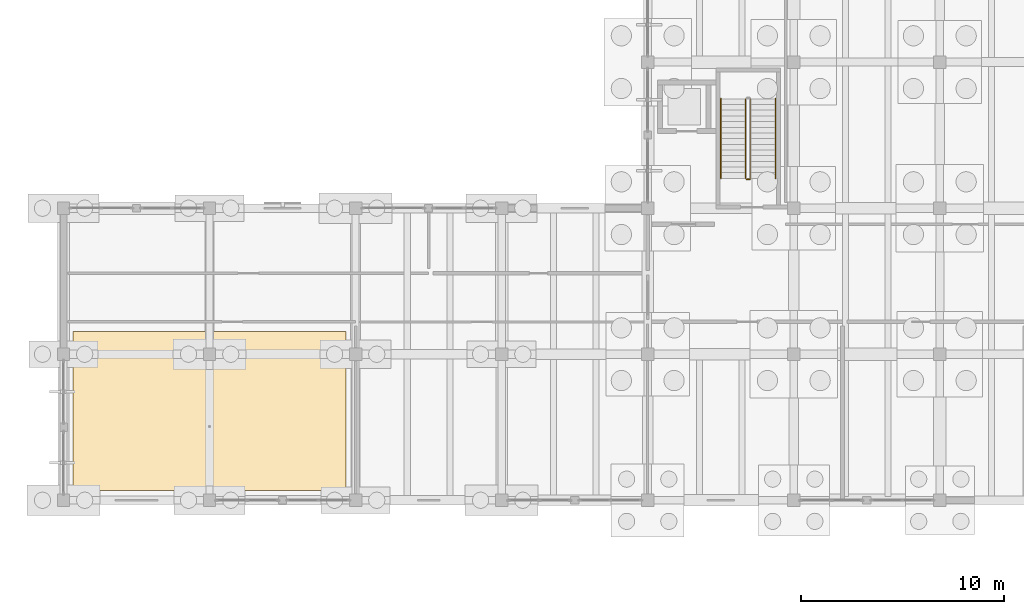
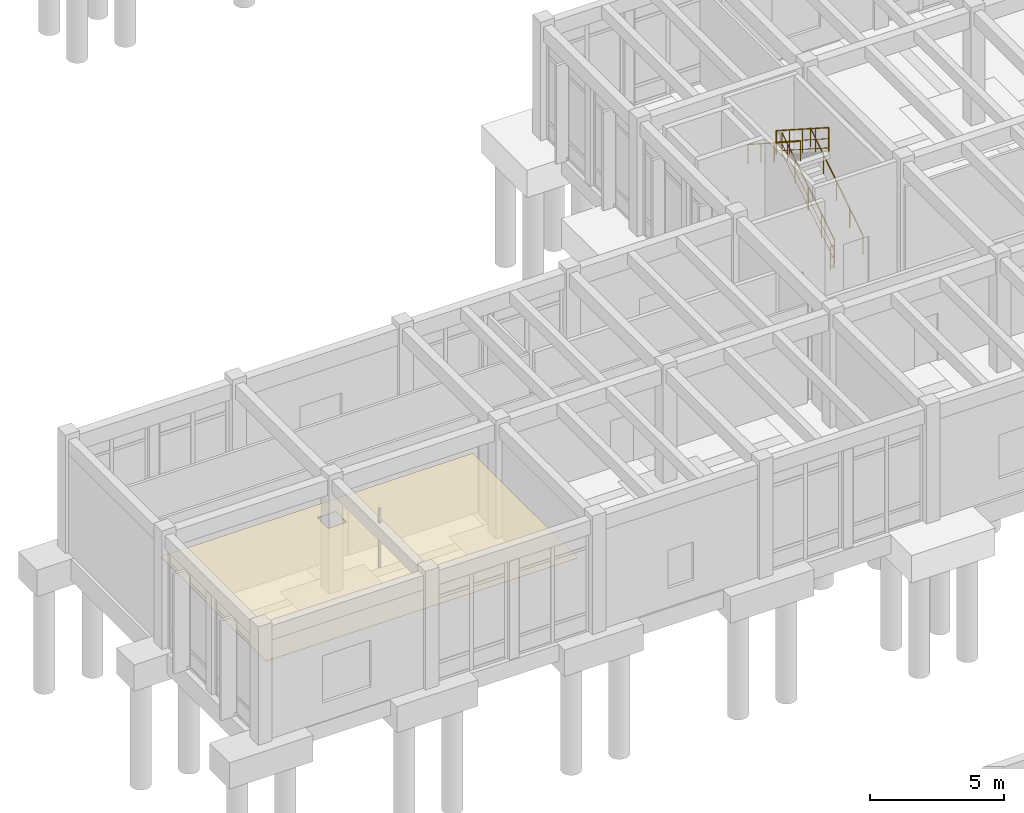
# One storey, part 84 of 93: 5 railings, 1 covering.
"""IFC4 building model written with IfcOpenShell, lengths in metres."""

from ifc_helpers import new_model, si_unit, direction, frame, origin, origin_2d, place, context, subcontext, project, spatial, polyline, circle, outline, extrude, material, layer, layer_set, type_object, element, save


model = new_model("IFC4")

# Units and contexts
model_context = context("Model", 3, precision=1e-05, world=origin(), true_north=direction((0.0, 1.0)))
body_context = subcontext(model_context, "Body", "Model", "MODEL_VIEW")
ifc_project = project(units=[si_unit("LENGTHUNIT", "METRE"), si_unit("AREAUNIT", "SQUARE_METRE"), si_unit("VOLUMEUNIT", "CUBIC_METRE"), si_unit("PLANEANGLEUNIT", "RADIAN"), si_unit("MASSUNIT", "GRAM", prefix="KILO")], contexts=[model_context])

# Site, building, storey
site_placement = place(None, origin())
site = spatial("IfcSite", under=ifc_project, at=site_placement, CompositionType="ELEMENT")
building_placement = place(site_placement, origin())
building = spatial("IfcBuilding", under=site, at=building_placement, Name="Koriwan Promenade Central Fire Station", CompositionType="ELEMENT")
storey_placement = place(building_placement, origin())
storey = spatial("IfcBuildingStorey", under=building, at=storey_placement, Name="L00", CompositionType="ELEMENT", Elevation=0.0)

# Covering
ifc_material_1 = material(Name="Mineral-fibre acoustic ceiling tile on suspended grid", Category="ceiling")
ifc_layer_1 = layer(ifc_material_1, 0.02490234375, Name="Mineral-fibre acoustic ceiling tile on suspended grid")
ifc_layer_set_1 = layer_set([ifc_layer_1], Name="Mineral-fibre acoustic ceiling tile on suspended grid")
covering_type = type_object("IfcCoveringType", Name="AcousticCeiling_Tile", PredefinedType="CEILING", material=ifc_layer_set_1)
covering_placement = place(storey_placement, frame((0.0, 0.0, 3.080078125)))
element("IfcCovering", 1, at=covering_placement, inside=storey, type_object=covering_type, Name="Station Watch Room and Turnout Desk suspended acoustic ceiling", PredefinedType="CEILING", context=body_context, shape_type="SweptSolid", body=[
    extrude(outline(polyline([(13.929931640625, 43.669921875), (0.469970703125, 43.669921875), (0.469970703125, 51.530029296875), (13.929931640625, 51.530029296875), (13.929931640625, 43.669921875)]), holes=[polyline([(7.60009765625, 50.0), (7.60009765625, 50.800048828125), (6.800048828125, 50.800048828125), (6.800048828125, 50.0), (7.60009765625, 50.0)])]), origin(), (0.0, 0.0, 1.0), 0.02490234375),
])

# Railings
ifc_material_2 = material(Name="Steel ASTM A500 Grade C", Category="steel")
ifc_layer_2 = layer(ifc_material_2, 0.050048828125, Name="Steel ASTM A500 Grade C")
ifc_layer_set_2 = layer_set([ifc_layer_2], Name="Steel ASTM A500 Grade C")
railing_type_1 = type_object("IfcRailingType", Name="StairGuard_1100", PredefinedType="BALUSTRADE", material=ifc_layer_set_2)
railing_1_placement = place(storey_placement, frame((33.8798828125, 59.070068359375, 0.179931640625)))
element("IfcRailing", 2, at=railing_1_placement, inside=storey, type_object=railing_type_1, Name="L00 ST18 stair guard 1", PredefinedType="BALUSTRADE", context=body_context, shape_type="SweptSolid", body=[
    extrude(circle(Radius=0.02392578125, at=origin_2d()), frame((0.0, 0.0, 1.076171875), z_axis=(0.0, 0.841171666519, 0.540768182723), x_axis=(-1.0, 0.0, 0.0)), (0.0, 0.0, 1.0), 4.66015625),
    extrude(circle(Radius=0.012939453125, at=origin_2d()), frame((0.0, 0.0, 0.572021484375), z_axis=(0.0, 0.841171666519, 0.540768182723), x_axis=(-1.0, 0.0, 0.0)), (0.0, 0.0, 1.0), 4.66015625),
    extrude(circle(Radius=0.012939453125, at=origin_2d()), frame((0.0, 0.0, 0.154052734375), z_axis=(0.0, 0.841171666519, 0.540768182723), x_axis=(-1.0, 0.0, 0.0)), (0.0, 0.0, 1.0), 4.66015625),
    extrude(circle(Radius=0.02099609375, at=origin_2d()), origin(), (0.0, 0.0, 1.0), 1.052001953125),
    extrude(circle(Radius=0.02099609375, at=origin_2d()), frame((0.0, 0.97998046875, 0.6298828125)), (0.0, 0.0, 1.0), 1.052001953125),
    extrude(circle(Radius=0.02099609375, at=origin_2d()), frame((0.0, 1.9599609375, 1.260009765625)), (0.0, 0.0, 1.0), 1.052001953125),
    extrude(circle(Radius=0.02099609375, at=origin_2d()), frame((0.0, 2.93994140625, 1.89013671875)), (0.0, 0.0, 1.0), 1.052001953125),
    extrude(circle(Radius=0.02099609375, at=origin_2d()), frame((0.0, 3.919921875, 2.52001953125)), (0.0, 0.0, 1.0), 1.052001953125),
])
railing_2_placement = place(storey_placement, frame((33.6298828125, 62.989990234375, 2.8798828125)))
element("IfcRailing", 3, at=railing_2_placement, inside=storey, type_object=railing_type_1, Name="L00 ST18 stair guard 3", PredefinedType="BALUSTRADE", context=body_context, shape_type="SweptSolid", body=[
    extrude(circle(Radius=0.02392578125, at=origin_2d()), frame((0.0, 0.0, 1.076171875), z_axis=(0.0, -0.841171666519, 0.540768182723), x_axis=(1.0, 0.0, 0.0)), (0.0, 0.0, 1.0), 4.66015625),
    extrude(circle(Radius=0.012939453125, at=origin_2d()), frame((0.0, 0.0, 0.572021484375), z_axis=(0.0, -0.841171666519, 0.540768182723), x_axis=(1.0, 0.0, 0.0)), (0.0, 0.0, 1.0), 4.66015625),
    extrude(circle(Radius=0.012939453125, at=origin_2d()), frame((0.0, 0.0, 0.154052734375), z_axis=(0.0, -0.841171666519, 0.540768182723), x_axis=(1.0, 0.0, 0.0)), (0.0, 0.0, 1.0), 4.66015625),
    extrude(circle(Radius=0.02099609375, at=origin_2d()), origin(), (0.0, 0.0, 1.0), 1.052001953125),
    extrude(circle(Radius=0.02099609375, at=origin_2d()), frame((0.0, -0.97998046875, 0.6298828125)), (0.0, 0.0, 1.0), 1.052001953125),
    extrude(circle(Radius=0.02099609375, at=origin_2d()), frame((0.0, -1.9599609375, 1.260009765625)), (0.0, 0.0, 1.0), 1.052001953125),
    extrude(circle(Radius=0.02099609375, at=origin_2d()), frame((0.0, -2.93994140625, 1.89013671875)), (0.0, 0.0, 1.0), 1.052001953125),
    extrude(circle(Radius=0.02099609375, at=origin_2d()), frame((0.0, -3.919921875, 2.52001953125)), (0.0, 0.0, 1.0), 1.052001953125),
])
railing_3_placement = place(storey_placement, frame((33.830078125, 59.02001953125, 0.0)))
element("IfcRailing", 4, at=railing_3_placement, inside=storey, type_object=railing_type_1, Name="L00 ST18 stair guard 4", PredefinedType="BALUSTRADE", context=body_context, shape_type="SweptSolid", body=[
    extrude(circle(Radius=0.02392578125, at=origin_2d()), frame((0.0, 0.0, 1.076171875), z_axis=(-1.0, 0.0, 0.0), x_axis=(0.0, -1.0, 0.0)), (0.0, 0.0, 1.0), 0.150146484375),
    extrude(circle(Radius=0.012939453125, at=origin_2d()), frame((0.0, 0.0, 0.572021484375), z_axis=(-1.0, 0.0, 0.0), x_axis=(0.0, -1.0, 0.0)), (0.0, 0.0, 1.0), 0.150146484375),
    extrude(circle(Radius=0.012939453125, at=origin_2d()), frame((0.0, 0.0, 0.154052734375), z_axis=(-1.0, 0.0, 0.0), x_axis=(0.0, -1.0, 0.0)), (0.0, 0.0, 1.0), 0.150146484375),
    extrude(circle(Radius=0.02099609375, at=origin_2d()), origin(), (0.0, 0.0, 1.0), 1.052001953125),
    extrude(circle(Radius=0.02099609375, at=origin_2d()), frame((-0.150146484375, 0.0, 0.0)), (0.0, 0.0, 1.0), 1.052001953125),
])
ifc_material_3 = material(Name="Stainless steel 316 tubular handrail", Category="steel")
ifc_layer_3 = layer(ifc_material_3, 0.048095703125, Name="Stainless steel 316 tubular handrail")
ifc_layer_set_3 = layer_set([ifc_layer_3], Name="Stainless steel 316 tubular handrail")
railing_type_2 = type_object("IfcRailingType", Name="StairHandrail_900", PredefinedType="HANDRAIL", material=ifc_layer_set_3)
railing_4_placement = place(storey_placement, frame((35.10009765625, 59.070068359375, 0.179931640625)))
element("IfcRailing", 5, at=railing_4_placement, inside=storey, type_object=railing_type_2, Name="L00 ST18 stair handrail 1", PredefinedType="HANDRAIL", context=body_context, shape_type="SweptSolid", body=[
    extrude(circle(Radius=0.02392578125, at=origin_2d()), frame((0.0, 0.0, 0.8759765625), z_axis=(0.0, 0.841171666519, 0.540768182723), x_axis=(-1.0, 0.0, 0.0)), (0.0, 0.0, 1.0), 4.66015625),
    extrude(circle(Radius=0.02099609375, at=origin_2d()), origin(), (0.0, 0.0, 1.0), 0.851806640625),
    extrude(circle(Radius=0.02099609375, at=origin_2d()), frame((0.0, 0.97998046875, 0.6298828125)), (0.0, 0.0, 1.0), 0.851806640625),
    extrude(circle(Radius=0.02099609375, at=origin_2d()), frame((0.0, 1.9599609375, 1.260009765625)), (0.0, 0.0, 1.0), 0.851806640625),
    extrude(circle(Radius=0.02099609375, at=origin_2d()), frame((0.0, 2.93994140625, 1.89013671875)), (0.0, 0.0, 1.0), 0.851806640625),
    extrude(circle(Radius=0.02099609375, at=origin_2d()), frame((0.0, 3.919921875, 2.52001953125)), (0.0, 0.0, 1.0), 0.851806640625),
])
railing_5_placement = place(storey_placement, frame((32.409912109375, 62.989990234375, 2.8798828125)))
element("IfcRailing", 6, at=railing_5_placement, inside=storey, type_object=railing_type_2, Name="L00 ST18 stair handrail 2", PredefinedType="HANDRAIL", context=body_context, shape_type="SweptSolid", body=[
    extrude(circle(Radius=0.02392578125, at=origin_2d()), frame((0.0, 0.0, 0.8759765625), z_axis=(0.0, -0.841171666519, 0.540768182723), x_axis=(1.0, 0.0, 0.0)), (0.0, 0.0, 1.0), 4.66015625),
    extrude(circle(Radius=0.02099609375, at=origin_2d()), origin(), (0.0, 0.0, 1.0), 0.851806640625),
    extrude(circle(Radius=0.02099609375, at=origin_2d()), frame((0.0, -0.97998046875, 0.6298828125)), (0.0, 0.0, 1.0), 0.851806640625),
    extrude(circle(Radius=0.02099609375, at=origin_2d()), frame((0.0, -1.9599609375, 1.260009765625)), (0.0, 0.0, 1.0), 0.851806640625),
    extrude(circle(Radius=0.02099609375, at=origin_2d()), frame((0.0, -2.93994140625, 1.89013671875)), (0.0, 0.0, 1.0), 0.851806640625),
    extrude(circle(Radius=0.02099609375, at=origin_2d()), frame((0.0, -3.919921875, 2.52001953125)), (0.0, 0.0, 1.0), 0.851806640625),
])

save(model, "model.ifc")
